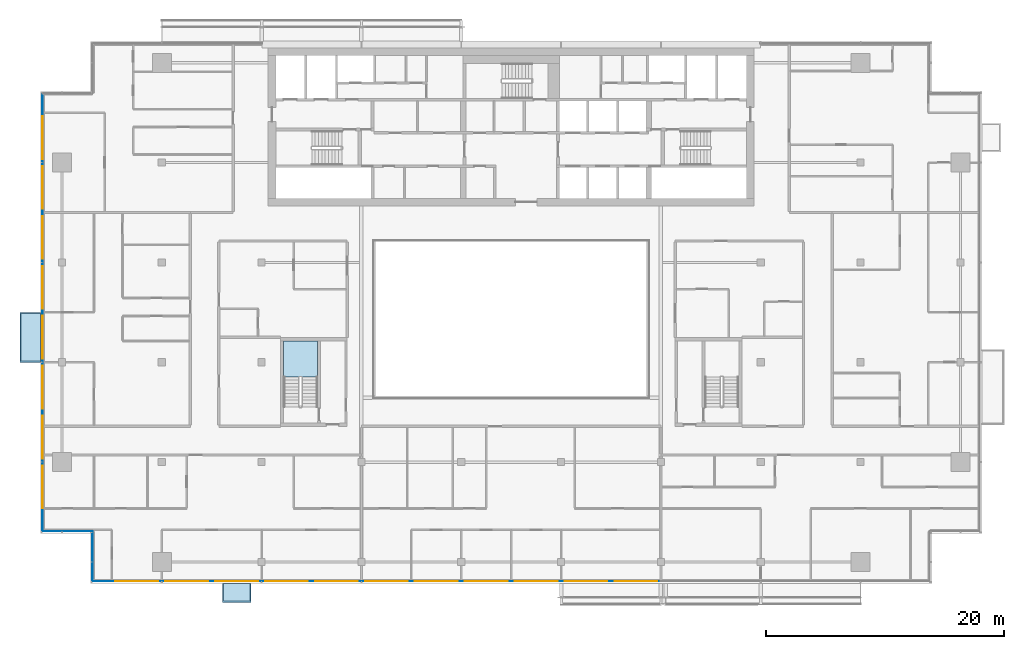
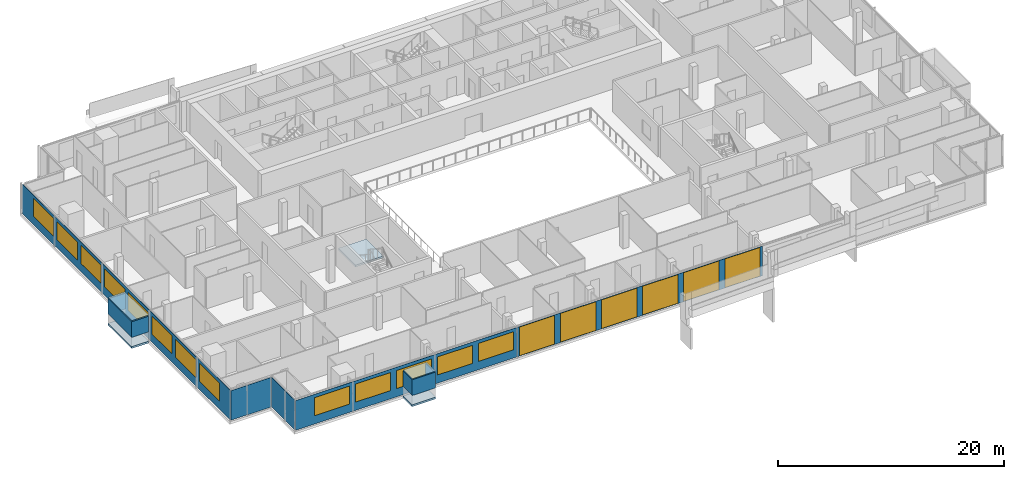
# One storey, part 14 of 27: 19 windows, 9 plates, 3 slabs, 19 openings, 5 elements without a shape of their own.
"""IFC4 building model written with IfcOpenShell, lengths in metres."""

from ifc_helpers import new_model, si_unit, direction, frame, frame_2d, origin, place, context, subcontext, project, spatial, polyline, rectangle, outline, extrude, material, layer, layer_set, type_object, element, fill, aggregate, save


model = new_model("IFC4")

# Units and contexts
model_context = context("Model", 3, precision=1e-05, world=origin(), true_north=direction((0.0, 1.0)))
body_context = subcontext(model_context, "Body", "Model", "MODEL_VIEW")
ifc_project = project(units=[si_unit("LENGTHUNIT", "METRE"), si_unit("AREAUNIT", "SQUARE_METRE"), si_unit("VOLUMEUNIT", "CUBIC_METRE"), si_unit("PLANEANGLEUNIT", "RADIAN"), si_unit("MASSUNIT", "GRAM", prefix="KILO")], contexts=[model_context])

# Site, building, storey
site_placement = place(None, origin())
site = spatial("IfcSite", under=ifc_project, at=site_placement, CompositionType="ELEMENT")
building_placement = place(site_placement, origin())
building = spatial("IfcBuilding", under=site, at=building_placement, Name="Saffron Gate Tower", CompositionType="ELEMENT")
storey_placement = place(building_placement, frame((0.0, 0.0, 234.300048828125)))
storey = spatial("IfcBuildingStorey", under=building, at=storey_placement, Name="L57", CompositionType="ELEMENT", Elevation=234.300048828125)

# Curtain wall, plates, openings, windows
ifc_material_1 = material(Name="Aluminium, bronze anodised", Category="aluminium")
curtain_wall_type_1 = type_object("IfcCurtainWallType", Name="CWS1 curtain wall front facade", PredefinedType="NOTDEFINED", material=ifc_material_1)
curtain_wall_1_placement = place(storey_placement, origin())
curtain_wall_1 = element("IfcCurtainWall", 1, at=curtain_wall_1_placement, inside=storey, type_object=curtain_wall_type_1, Name="CWS1 run 1", PredefinedType="NOTDEFINED")
ifc_material_2 = material(Name="Clear low-iron laminated glass", Category="glass")
ifc_layer_1 = layer(ifc_material_2, 0.028076171875)
ifc_layer_set_1 = layer_set([ifc_layer_1], Name="CWS1 clear glass")
plate_type_1 = type_object("IfcPlateType", Name="CWS1 clear glass", PredefinedType="CURTAIN_PANEL", material=ifc_layer_set_1)
plate_1_placement = place(storey_placement, frame((75.030029296875, 30.174072265625, 0.0), z_axis=(0.0, 0.0, 1.0), x_axis=(1.0, 0.0, 0.0)))
plate_1 = element("IfcPlate", 2, at=plate_1_placement, type_object=plate_type_1, Name="CWS1 clear glass panel", PredefinedType="CURTAIN_PANEL", context=body_context, shape_type="SweptSolid", body=[
    extrude(rectangle(XDim=25.139892578125, YDim=0.028076171875, at=frame_2d((12.56982421875, 0.0))), origin(), (0.0, 0.0, 1.0), 3.199951171875),
])
opening_1_placement = place(plate_1_placement, frame((0.27001953125, 0.0, 0.050048828125)))
opening_1 = element("IfcOpeningElement", 3, at=opening_1_placement, cuts=plate_1, Name="Opening WA", PredefinedType="OPENING", context=body_context, shape_type="SweptSolid", body=[
    extrude(rectangle(XDim=3.60009765625, YDim=3.10009765625, at=frame_2d((1.800048828125, 1.550048828125))), frame((0.0, 0.02392578125, 0.0), z_axis=(0.0, -1.0, 0.0), x_axis=(1.0, 0.0, 0.0)), (0.0, 0.0, 1.0), 0.048095703125),
])
opening_2_placement = place(plate_1_placement, frame((4.469970703125, 0.0, 0.050048828125)))
opening_2 = element("IfcOpeningElement", 4, at=opening_2_placement, cuts=plate_1, Name="Opening WA", PredefinedType="OPENING", context=body_context, shape_type="SweptSolid", body=[
    extrude(rectangle(XDim=3.60009765625, YDim=3.10009765625, at=frame_2d((1.800048828125, 1.550048828125))), frame((0.0, 0.02392578125, 0.0), z_axis=(0.0, -1.0, 0.0), x_axis=(1.0, 0.0, 0.0)), (0.0, 0.0, 1.0), 0.048095703125),
])
opening_3_placement = place(plate_1_placement, frame((8.669921875, 0.0, 0.050048828125)))
opening_3 = element("IfcOpeningElement", 5, at=opening_3_placement, cuts=plate_1, Name="Opening WA", PredefinedType="OPENING", context=body_context, shape_type="SweptSolid", body=[
    extrude(rectangle(XDim=3.60009765625, YDim=3.10009765625, at=frame_2d((1.800048828125, 1.550048828125))), frame((0.0, 0.02392578125, 0.0), z_axis=(0.0, -1.0, 0.0), x_axis=(1.0, 0.0, 0.0)), (0.0, 0.0, 1.0), 0.048095703125),
])
opening_4_placement = place(plate_1_placement, frame((12.8701171875, 0.0, 0.050048828125)))
opening_4 = element("IfcOpeningElement", 6, at=opening_4_placement, cuts=plate_1, Name="Opening WA", PredefinedType="OPENING", context=body_context, shape_type="SweptSolid", body=[
    extrude(rectangle(XDim=3.60009765625, YDim=3.10009765625, at=frame_2d((1.800048828125, 1.550048828125))), frame((0.0, 0.02392578125, 0.0), z_axis=(0.0, -1.0, 0.0), x_axis=(1.0, 0.0, 0.0)), (0.0, 0.0, 1.0), 0.048095703125),
])
opening_5_placement = place(plate_1_placement, frame((17.070068359375, 0.0, 0.050048828125)))
opening_5 = element("IfcOpeningElement", 7, at=opening_5_placement, cuts=plate_1, Name="Opening WA", PredefinedType="OPENING", context=body_context, shape_type="SweptSolid", body=[
    extrude(rectangle(XDim=3.60009765625, YDim=3.10009765625, at=frame_2d((1.800048828125, 1.550048828125))), frame((0.0, 0.02392578125, 0.0), z_axis=(0.0, -1.0, 0.0), x_axis=(1.0, 0.0, 0.0)), (0.0, 0.0, 1.0), 0.048095703125),
])
opening_6_placement = place(plate_1_placement, frame((21.27001953125, 0.0, 0.050048828125)))
opening_6 = element("IfcOpeningElement", 8, at=opening_6_placement, cuts=plate_1, Name="Opening WA", PredefinedType="OPENING", context=body_context, shape_type="SweptSolid", body=[
    extrude(rectangle(XDim=3.60009765625, YDim=3.10009765625, at=frame_2d((1.800048828125, 1.550048828125))), frame((0.0, 0.02392578125, 0.0), z_axis=(0.0, -1.0, 0.0), x_axis=(1.0, 0.0, 0.0)), (0.0, 0.0, 1.0), 0.048095703125),
])
ifc_material_3 = material(Name="Clear low-iron laminated glass in bronze frame", Category="glass")
ifc_layer_2 = layer(ifc_material_3, 0.06005859375)
ifc_layer_set_2 = layer_set([ifc_layer_2], Name="WA operable atrium unit 3600x3100")
window_type_1 = type_object("IfcWindowType", Name="WA operable atrium unit 3600x3100", PartitioningType="DOUBLE_PANEL_HORIZONTAL", PredefinedType="WINDOW", material=ifc_layer_set_2)
window_1_placement = place(opening_1_placement, origin())
window_1 = element("IfcWindow", 9, at=window_1_placement, type_object=window_type_1, Name="WA operable atrium unit", OverallHeight=3.10009765625, OverallWidth=3.60009765625, PartitioningType="SINGLE_PANEL", PredefinedType="WINDOW", context=body_context, shape_type="SweptSolid", body=[
    extrude(rectangle(XDim=3.60009765625, YDim=3.10009765625, at=frame_2d((1.800048828125, 1.550048828125))), frame((0.0, 0.013671875, 0.0), z_axis=(0.0, -1.0, 0.0), x_axis=(1.0, 0.0, 0.0)), (0.0, 0.0, 1.0), 0.027587890625),
])
fill(opening_1, window_1)
window_2_placement = place(opening_2_placement, origin())
window_2 = element("IfcWindow", 10, at=window_2_placement, type_object=window_type_1, Name="WA operable atrium unit", OverallHeight=3.10009765625, OverallWidth=3.60009765625, PartitioningType="SINGLE_PANEL", PredefinedType="WINDOW", context=body_context, shape_type="SweptSolid", body=[
    extrude(rectangle(XDim=3.60009765625, YDim=3.10009765625, at=frame_2d((1.800048828125, 1.550048828125))), frame((0.0, 0.013671875, 0.0), z_axis=(0.0, -1.0, 0.0), x_axis=(1.0, 0.0, 0.0)), (0.0, 0.0, 1.0), 0.027587890625),
])
fill(opening_2, window_2)
window_3_placement = place(opening_3_placement, origin())
window_3 = element("IfcWindow", 11, at=window_3_placement, type_object=window_type_1, Name="WA operable atrium unit", OverallHeight=3.10009765625, OverallWidth=3.60009765625, PartitioningType="SINGLE_PANEL", PredefinedType="WINDOW", context=body_context, shape_type="SweptSolid", body=[
    extrude(rectangle(XDim=3.60009765625, YDim=3.10009765625, at=frame_2d((1.800048828125, 1.550048828125))), frame((0.0, 0.013671875, 0.0), z_axis=(0.0, -1.0, 0.0), x_axis=(1.0, 0.0, 0.0)), (0.0, 0.0, 1.0), 0.027587890625),
])
fill(opening_3, window_3)
window_4_placement = place(opening_4_placement, origin())
window_4 = element("IfcWindow", 12, at=window_4_placement, type_object=window_type_1, Name="WA operable atrium unit", OverallHeight=3.10009765625, OverallWidth=3.60009765625, PartitioningType="SINGLE_PANEL", PredefinedType="WINDOW", context=body_context, shape_type="SweptSolid", body=[
    extrude(rectangle(XDim=3.60009765625, YDim=3.10009765625, at=frame_2d((1.800048828125, 1.550048828125))), frame((0.0, 0.013671875, 0.0), z_axis=(0.0, -1.0, 0.0), x_axis=(1.0, 0.0, 0.0)), (0.0, 0.0, 1.0), 0.027587890625),
])
fill(opening_4, window_4)
window_5_placement = place(opening_5_placement, origin())
window_5 = element("IfcWindow", 13, at=window_5_placement, type_object=window_type_1, Name="WA operable atrium unit", OverallHeight=3.10009765625, OverallWidth=3.60009765625, PartitioningType="SINGLE_PANEL", PredefinedType="WINDOW", context=body_context, shape_type="SweptSolid", body=[
    extrude(rectangle(XDim=3.60009765625, YDim=3.10009765625, at=frame_2d((1.800048828125, 1.550048828125))), frame((0.0, 0.013671875, 0.0), z_axis=(0.0, -1.0, 0.0), x_axis=(1.0, 0.0, 0.0)), (0.0, 0.0, 1.0), 0.027587890625),
])
fill(opening_5, window_5)
window_6_placement = place(opening_6_placement, origin())
window_6 = element("IfcWindow", 14, at=window_6_placement, type_object=window_type_1, Name="WA operable atrium unit", OverallHeight=3.10009765625, OverallWidth=3.60009765625, PartitioningType="SINGLE_PANEL", PredefinedType="WINDOW", context=body_context, shape_type="SweptSolid", body=[
    extrude(rectangle(XDim=3.60009765625, YDim=3.10009765625, at=frame_2d((1.800048828125, 1.550048828125))), frame((0.0, 0.013671875, 0.0), z_axis=(0.0, -1.0, 0.0), x_axis=(1.0, 0.0, 0.0)), (0.0, 0.0, 1.0), 0.027587890625),
])
fill(opening_6, window_6)
ifc_material_4 = material(Name="Fritted bronze-tinted laminated glass", Category="glass")
ifc_layer_3 = layer(ifc_material_4, 0.028076171875)
ifc_layer_set_3 = layer_set([ifc_layer_3], Name="CWS1 fixed glass")
plate_type_2 = type_object("IfcPlateType", Name="CWS1 fixed glass", PredefinedType="CURTAIN_PANEL", material=ifc_layer_set_3)
plate_2_placement = place(storey_placement, frame((52.387939453125, 30.174072265625, 0.0), z_axis=(0.0, 0.0, 1.0), x_axis=(1.0, 0.0, 0.0)))
plate_2 = element("IfcPlate", 15, at=plate_2_placement, type_object=plate_type_2, Name="CWS1 glass panel", PredefinedType="CURTAIN_PANEL", context=body_context, shape_type="SweptSolid", body=[
    extrude(rectangle(XDim=22.64208984375, YDim=0.028076171875, at=frame_2d((11.321044921875, 0.0))), origin(), (0.0, 0.0, 1.0), 3.199951171875),
])
opening_7_placement = place(plate_2_placement, frame((1.912109375, 0.0, 0.89990234375)))
opening_7 = element("IfcOpeningElement", 16, at=opening_7_placement, cuts=plate_2, Name="Opening W1", PredefinedType="OPENING", context=body_context, shape_type="SweptSolid", body=[
    extrude(rectangle(XDim=3.60009765625, YDim=1.949951171875, at=frame_2d((1.800048828125, 0.97509765625))), frame((0.0, 0.02392578125, 0.0), z_axis=(0.0, -1.0, 0.0), x_axis=(1.0, 0.0, 0.0)), (0.0, 0.0, 1.0), 0.048095703125),
])
opening_8_placement = place(plate_2_placement, frame((6.112060546875, 0.0, 0.89990234375)))
opening_8 = element("IfcOpeningElement", 17, at=opening_8_placement, cuts=plate_2, Name="Opening W1", PredefinedType="OPENING", context=body_context, shape_type="SweptSolid", body=[
    extrude(rectangle(XDim=3.60009765625, YDim=1.949951171875, at=frame_2d((1.800048828125, 0.97509765625))), frame((0.0, 0.02392578125, 0.0), z_axis=(0.0, -1.0, 0.0), x_axis=(1.0, 0.0, 0.0)), (0.0, 0.0, 1.0), 0.048095703125),
])
opening_9_placement = place(plate_2_placement, frame((10.31201171875, 0.0, 0.89990234375)))
opening_9 = element("IfcOpeningElement", 18, at=opening_9_placement, cuts=plate_2, Name="Opening W1", PredefinedType="OPENING", context=body_context, shape_type="SweptSolid", body=[
    extrude(rectangle(XDim=3.60009765625, YDim=1.949951171875, at=frame_2d((1.800048828125, 0.97509765625))), frame((0.0, 0.02392578125, 0.0), z_axis=(0.0, -1.0, 0.0), x_axis=(1.0, 0.0, 0.0)), (0.0, 0.0, 1.0), 0.048095703125),
])
opening_10_placement = place(plate_2_placement, frame((14.511962890625, 0.0, 0.89990234375)))
opening_10 = element("IfcOpeningElement", 19, at=opening_10_placement, cuts=plate_2, Name="Opening W1", PredefinedType="OPENING", context=body_context, shape_type="SweptSolid", body=[
    extrude(rectangle(XDim=3.60009765625, YDim=1.949951171875, at=frame_2d((1.800048828125, 0.97509765625))), frame((0.0, 0.02392578125, 0.0), z_axis=(0.0, -1.0, 0.0), x_axis=(1.0, 0.0, 0.0)), (0.0, 0.0, 1.0), 0.048095703125),
])
opening_11_placement = place(plate_2_placement, frame((18.7119140625, 0.0, 0.89990234375)))
opening_11 = element("IfcOpeningElement", 20, at=opening_11_placement, cuts=plate_2, Name="Opening W1", PredefinedType="OPENING", context=body_context, shape_type="SweptSolid", body=[
    extrude(rectangle(XDim=3.60009765625, YDim=1.949951171875, at=frame_2d((1.800048828125, 0.97509765625))), frame((0.0, 0.02392578125, 0.0), z_axis=(0.0, -1.0, 0.0), x_axis=(1.0, 0.0, 0.0)), (0.0, 0.0, 1.0), 0.048095703125),
])
ifc_material_5 = material(Name="Fritted bronze-tinted laminated glass in bronze frame", Category="glass")
ifc_layer_4 = layer(ifc_material_5, 0.06005859375)
ifc_layer_set_4 = layer_set([ifc_layer_4], Name="W1 operable panel 3600x1950")
window_type_2 = type_object("IfcWindowType", Name="W1 operable panel 3600x1950", PartitioningType="DOUBLE_PANEL_HORIZONTAL", PredefinedType="WINDOW", material=ifc_layer_set_4)
window_7_placement = place(opening_7_placement, origin())
window_7 = element("IfcWindow", 21, at=window_7_placement, type_object=window_type_2, Name="W1 operable panel", OverallHeight=1.949951171875, OverallWidth=3.60009765625, PartitioningType="SINGLE_PANEL", PredefinedType="WINDOW", context=body_context, shape_type="SweptSolid", body=[
    extrude(rectangle(XDim=3.60009765625, YDim=1.949951171875, at=frame_2d((1.800048828125, 0.97509765625))), frame((0.0, 0.013671875, 0.0), z_axis=(0.0, -1.0, 0.0), x_axis=(1.0, 0.0, 0.0)), (0.0, 0.0, 1.0), 0.027587890625),
])
fill(opening_7, window_7)
window_8_placement = place(opening_8_placement, origin())
window_8 = element("IfcWindow", 22, at=window_8_placement, type_object=window_type_2, Name="W1 operable panel", OverallHeight=1.949951171875, OverallWidth=3.60009765625, PartitioningType="SINGLE_PANEL", PredefinedType="WINDOW", context=body_context, shape_type="SweptSolid", body=[
    extrude(rectangle(XDim=3.60009765625, YDim=1.949951171875, at=frame_2d((1.800048828125, 0.97509765625))), frame((0.0, 0.013671875, 0.0), z_axis=(0.0, -1.0, 0.0), x_axis=(1.0, 0.0, 0.0)), (0.0, 0.0, 1.0), 0.027587890625),
])
fill(opening_8, window_8)
window_9_placement = place(opening_9_placement, origin())
window_9 = element("IfcWindow", 23, at=window_9_placement, type_object=window_type_2, Name="W1 operable panel", OverallHeight=1.949951171875, OverallWidth=3.60009765625, PartitioningType="SINGLE_PANEL", PredefinedType="WINDOW", context=body_context, shape_type="SweptSolid", body=[
    extrude(rectangle(XDim=3.60009765625, YDim=1.949951171875, at=frame_2d((1.800048828125, 0.97509765625))), frame((0.0, 0.013671875, 0.0), z_axis=(0.0, -1.0, 0.0), x_axis=(1.0, 0.0, 0.0)), (0.0, 0.0, 1.0), 0.027587890625),
])
fill(opening_9, window_9)
window_10_placement = place(opening_10_placement, origin())
window_10 = element("IfcWindow", 24, at=window_10_placement, type_object=window_type_2, Name="W1 operable panel", OverallHeight=1.949951171875, OverallWidth=3.60009765625, PartitioningType="SINGLE_PANEL", PredefinedType="WINDOW", context=body_context, shape_type="SweptSolid", body=[
    extrude(rectangle(XDim=3.60009765625, YDim=1.949951171875, at=frame_2d((1.800048828125, 0.97509765625))), frame((0.0, 0.013671875, 0.0), z_axis=(0.0, -1.0, 0.0), x_axis=(1.0, 0.0, 0.0)), (0.0, 0.0, 1.0), 0.027587890625),
])
fill(opening_10, window_10)
window_11_placement = place(opening_11_placement, origin())
window_11 = element("IfcWindow", 25, at=window_11_placement, type_object=window_type_2, Name="W1 operable panel", OverallHeight=1.949951171875, OverallWidth=3.60009765625, PartitioningType="SINGLE_PANEL", PredefinedType="WINDOW", context=body_context, shape_type="SweptSolid", body=[
    extrude(rectangle(XDim=3.60009765625, YDim=1.949951171875, at=frame_2d((1.800048828125, 0.97509765625))), frame((0.0, 0.013671875, 0.0), z_axis=(0.0, -1.0, 0.0), x_axis=(1.0, 0.0, 0.0)), (0.0, 0.0, 1.0), 0.027587890625),
])
fill(opening_11, window_11)
aggregate(curtain_wall_1, [plate_2, plate_1, window_7, window_8, window_9, window_10, window_11, window_1, window_2, window_3, window_4, window_5, window_6])

# Curtain wall, plate, openings, windows
curtain_wall_type_2 = type_object("IfcCurtainWallType", Name="CWS2 curtain wall side facades", PredefinedType="NOTDEFINED", material=ifc_material_1)
curtain_wall_2_placement = place(storey_placement, origin())
curtain_wall_2 = element("IfcCurtainWall", 26, at=curtain_wall_2_placement, inside=storey, type_object=curtain_wall_type_2, Name="CWS2 run 10", PredefinedType="NOTDEFINED")
ifc_layer_5 = layer(ifc_material_4, 0.028076171875)
ifc_layer_set_5 = layer_set([ifc_layer_5], Name="CWS2 fixed glass")
plate_type_3 = type_object("IfcPlateType", Name="CWS2 fixed glass", PredefinedType="CURTAIN_PANEL", material=ifc_layer_set_5)
plate_3_placement = place(storey_placement, frame((48.174072265625, 71.2119140625, 0.0), z_axis=(0.0, 0.0, 1.0), x_axis=(0.0, -1.0, 0.0)))
plate_3 = element("IfcPlate", 27, at=plate_3_placement, type_object=plate_type_3, Name="CWS2 glass panel", PredefinedType="CURTAIN_PANEL", context=body_context, shape_type="SweptSolid", body=[
    extrude(rectangle(XDim=36.823974609375, YDim=0.028076171875, at=frame_2d((18.412109375, 0.0))), origin(), (0.0, 0.0, 1.0), 3.199951171875),
])
opening_12_placement = place(plate_3_placement, frame((1.912109375, 0.0, 0.89990234375)))
opening_12 = element("IfcOpeningElement", 28, at=opening_12_placement, cuts=plate_3, Name="Opening W1", PredefinedType="OPENING", context=body_context, shape_type="SweptSolid", body=[
    extrude(rectangle(XDim=3.60009765625, YDim=1.949951171875, at=frame_2d((1.800048828125, 0.97509765625))), frame((0.0, 0.02392578125, 0.0), z_axis=(0.0, -1.0, 0.0), x_axis=(1.0, 0.0, 0.0)), (0.0, 0.0, 1.0), 0.048095703125),
])
opening_13_placement = place(plate_3_placement, frame((6.112060546875, 0.0, 0.89990234375)))
opening_13 = element("IfcOpeningElement", 29, at=opening_13_placement, cuts=plate_3, Name="Opening W1", PredefinedType="OPENING", context=body_context, shape_type="SweptSolid", body=[
    extrude(rectangle(XDim=3.60009765625, YDim=1.949951171875, at=frame_2d((1.800048828125, 0.97509765625))), frame((0.0, 0.02392578125, 0.0), z_axis=(0.0, -1.0, 0.0), x_axis=(1.0, 0.0, 0.0)), (0.0, 0.0, 1.0), 0.048095703125),
])
opening_14_placement = place(plate_3_placement, frame((10.31201171875, 0.0, 0.89990234375)))
opening_14 = element("IfcOpeningElement", 30, at=opening_14_placement, cuts=plate_3, Name="Opening W1", PredefinedType="OPENING", context=body_context, shape_type="SweptSolid", body=[
    extrude(rectangle(XDim=3.60009765625, YDim=1.949951171875, at=frame_2d((1.800048828125, 0.97509765625))), frame((0.0, 0.02392578125, 0.0), z_axis=(0.0, -1.0, 0.0), x_axis=(1.0, 0.0, 0.0)), (0.0, 0.0, 1.0), 0.048095703125),
])
opening_15_placement = place(plate_3_placement, frame((14.511962890625, 0.0, 0.89990234375)))
opening_15 = element("IfcOpeningElement", 31, at=opening_15_placement, cuts=plate_3, Name="Opening W1", PredefinedType="OPENING", context=body_context, shape_type="SweptSolid", body=[
    extrude(rectangle(XDim=3.60009765625, YDim=1.949951171875, at=frame_2d((1.800048828125, 0.97509765625))), frame((0.0, 0.02392578125, 0.0), z_axis=(0.0, -1.0, 0.0), x_axis=(1.0, 0.0, 0.0)), (0.0, 0.0, 1.0), 0.048095703125),
])
opening_16_placement = place(plate_3_placement, frame((18.7119140625, 0.0, 0.89990234375)))
opening_16 = element("IfcOpeningElement", 32, at=opening_16_placement, cuts=plate_3, Name="Opening W1", PredefinedType="OPENING", context=body_context, shape_type="SweptSolid", body=[
    extrude(rectangle(XDim=3.60009765625, YDim=1.949951171875, at=frame_2d((1.800048828125, 0.97509765625))), frame((0.0, 0.02392578125, 0.0), z_axis=(0.0, -1.0, 0.0), x_axis=(1.0, 0.0, 0.0)), (0.0, 0.0, 1.0), 0.048095703125),
])
opening_17_placement = place(plate_3_placement, frame((22.912109375, 0.0, 0.89990234375)))
opening_17 = element("IfcOpeningElement", 33, at=opening_17_placement, cuts=plate_3, Name="Opening W1", PredefinedType="OPENING", context=body_context, shape_type="SweptSolid", body=[
    extrude(rectangle(XDim=3.60009765625, YDim=1.949951171875, at=frame_2d((1.800048828125, 0.97509765625))), frame((0.0, 0.02392578125, 0.0), z_axis=(0.0, -1.0, 0.0), x_axis=(1.0, 0.0, 0.0)), (0.0, 0.0, 1.0), 0.048095703125),
])
opening_18_placement = place(plate_3_placement, frame((27.112060546875, 0.0, 0.89990234375)))
opening_18 = element("IfcOpeningElement", 34, at=opening_18_placement, cuts=plate_3, Name="Opening W1", PredefinedType="OPENING", context=body_context, shape_type="SweptSolid", body=[
    extrude(rectangle(XDim=3.60009765625, YDim=1.949951171875, at=frame_2d((1.800048828125, 0.97509765625))), frame((0.0, 0.02392578125, 0.0), z_axis=(0.0, -1.0, 0.0), x_axis=(1.0, 0.0, 0.0)), (0.0, 0.0, 1.0), 0.048095703125),
])
opening_19_placement = place(plate_3_placement, frame((31.31201171875, 0.0, 0.89990234375)))
opening_19 = element("IfcOpeningElement", 35, at=opening_19_placement, cuts=plate_3, Name="Opening W1", PredefinedType="OPENING", context=body_context, shape_type="SweptSolid", body=[
    extrude(rectangle(XDim=3.60009765625, YDim=1.949951171875, at=frame_2d((1.800048828125, 0.97509765625))), frame((0.0, 0.02392578125, 0.0), z_axis=(0.0, -1.0, 0.0), x_axis=(1.0, 0.0, 0.0)), (0.0, 0.0, 1.0), 0.048095703125),
])
window_12_placement = place(opening_12_placement, origin())
window_12 = element("IfcWindow", 36, at=window_12_placement, type_object=window_type_2, Name="W1 operable panel", OverallHeight=1.949951171875, OverallWidth=3.60009765625, PartitioningType="SINGLE_PANEL", PredefinedType="WINDOW", context=body_context, shape_type="SweptSolid", body=[
    extrude(rectangle(XDim=3.60009765625, YDim=1.949951171875, at=frame_2d((1.800048828125, 0.97509765625))), frame((0.0, 0.013671875, 0.0), z_axis=(0.0, -1.0, 0.0), x_axis=(1.0, 0.0, 0.0)), (0.0, 0.0, 1.0), 0.027587890625),
])
fill(opening_12, window_12)
window_13_placement = place(opening_13_placement, origin())
window_13 = element("IfcWindow", 37, at=window_13_placement, type_object=window_type_2, Name="W1 operable panel", OverallHeight=1.949951171875, OverallWidth=3.60009765625, PartitioningType="SINGLE_PANEL", PredefinedType="WINDOW", context=body_context, shape_type="SweptSolid", body=[
    extrude(rectangle(XDim=3.60009765625, YDim=1.949951171875, at=frame_2d((1.800048828125, 0.97509765625))), frame((0.0, 0.013671875, 0.0), z_axis=(0.0, -1.0, 0.0), x_axis=(1.0, 0.0, 0.0)), (0.0, 0.0, 1.0), 0.027587890625),
])
fill(opening_13, window_13)
window_14_placement = place(opening_14_placement, origin())
window_14 = element("IfcWindow", 38, at=window_14_placement, type_object=window_type_2, Name="W1 operable panel", OverallHeight=1.949951171875, OverallWidth=3.60009765625, PartitioningType="SINGLE_PANEL", PredefinedType="WINDOW", context=body_context, shape_type="SweptSolid", body=[
    extrude(rectangle(XDim=3.60009765625, YDim=1.949951171875, at=frame_2d((1.800048828125, 0.97509765625))), frame((0.0, 0.013671875, 0.0), z_axis=(0.0, -1.0, 0.0), x_axis=(1.0, 0.0, 0.0)), (0.0, 0.0, 1.0), 0.027587890625),
])
fill(opening_14, window_14)
window_15_placement = place(opening_15_placement, origin())
window_15 = element("IfcWindow", 39, at=window_15_placement, type_object=window_type_2, Name="W1 operable panel", OverallHeight=1.949951171875, OverallWidth=3.60009765625, PartitioningType="SINGLE_PANEL", PredefinedType="WINDOW", context=body_context, shape_type="SweptSolid", body=[
    extrude(rectangle(XDim=3.60009765625, YDim=1.949951171875, at=frame_2d((1.800048828125, 0.97509765625))), frame((0.0, 0.013671875, 0.0), z_axis=(0.0, -1.0, 0.0), x_axis=(1.0, 0.0, 0.0)), (0.0, 0.0, 1.0), 0.027587890625),
])
fill(opening_15, window_15)
window_16_placement = place(opening_16_placement, origin())
window_16 = element("IfcWindow", 40, at=window_16_placement, type_object=window_type_2, Name="W1 operable panel", OverallHeight=1.949951171875, OverallWidth=3.60009765625, PartitioningType="SINGLE_PANEL", PredefinedType="WINDOW", context=body_context, shape_type="SweptSolid", body=[
    extrude(rectangle(XDim=3.60009765625, YDim=1.949951171875, at=frame_2d((1.800048828125, 0.97509765625))), frame((0.0, 0.013671875, 0.0), z_axis=(0.0, -1.0, 0.0), x_axis=(1.0, 0.0, 0.0)), (0.0, 0.0, 1.0), 0.027587890625),
])
fill(opening_16, window_16)
window_17_placement = place(opening_17_placement, origin())
window_17 = element("IfcWindow", 41, at=window_17_placement, type_object=window_type_2, Name="W1 operable panel", OverallHeight=1.949951171875, OverallWidth=3.60009765625, PartitioningType="SINGLE_PANEL", PredefinedType="WINDOW", context=body_context, shape_type="SweptSolid", body=[
    extrude(rectangle(XDim=3.60009765625, YDim=1.949951171875, at=frame_2d((1.800048828125, 0.97509765625))), frame((0.0, 0.013671875, 0.0), z_axis=(0.0, -1.0, 0.0), x_axis=(1.0, 0.0, 0.0)), (0.0, 0.0, 1.0), 0.027587890625),
])
fill(opening_17, window_17)
window_18_placement = place(opening_18_placement, origin())
window_18 = element("IfcWindow", 42, at=window_18_placement, type_object=window_type_2, Name="W1 operable panel", OverallHeight=1.949951171875, OverallWidth=3.60009765625, PartitioningType="SINGLE_PANEL", PredefinedType="WINDOW", context=body_context, shape_type="SweptSolid", body=[
    extrude(rectangle(XDim=3.60009765625, YDim=1.949951171875, at=frame_2d((1.800048828125, 0.97509765625))), frame((0.0, 0.013671875, 0.0), z_axis=(0.0, -1.0, 0.0), x_axis=(1.0, 0.0, 0.0)), (0.0, 0.0, 1.0), 0.027587890625),
])
fill(opening_18, window_18)
window_19_placement = place(opening_19_placement, origin())
window_19 = element("IfcWindow", 43, at=window_19_placement, type_object=window_type_2, Name="W1 operable panel", OverallHeight=1.949951171875, OverallWidth=3.60009765625, PartitioningType="SINGLE_PANEL", PredefinedType="WINDOW", context=body_context, shape_type="SweptSolid", body=[
    extrude(rectangle(XDim=3.60009765625, YDim=1.949951171875, at=frame_2d((1.800048828125, 0.97509765625))), frame((0.0, 0.013671875, 0.0), z_axis=(0.0, -1.0, 0.0), x_axis=(1.0, 0.0, 0.0)), (0.0, 0.0, 1.0), 0.027587890625),
])
fill(opening_19, window_19)
aggregate(curtain_wall_2, [plate_3, window_12, window_13, window_14, window_15, window_16, window_17, window_18, window_19])

# Curtain wall, plate
curtain_wall_type_3 = type_object("IfcCurtainWallType", Name="CWS4 curtain wall corner returns", PredefinedType="NOTDEFINED", material=ifc_material_1)
curtain_wall_3_placement = place(storey_placement, origin())
curtain_wall_3 = element("IfcCurtainWall", 44, at=curtain_wall_3_placement, inside=storey, type_object=curtain_wall_type_3, Name="CWS4 run 11", PredefinedType="NOTDEFINED")
ifc_layer_6 = layer(ifc_material_4, 0.028076171875)
ifc_layer_set_6 = layer_set([ifc_layer_6], Name="CWS4 fixed glass")
plate_type_4 = type_object("IfcPlateType", Name="CWS4 fixed glass", PredefinedType="CURTAIN_PANEL", material=ifc_layer_set_6)
plate_4_placement = place(storey_placement, frame((48.18798828125, 34.3740234375, 0.0), z_axis=(0.0, 0.0, 1.0), x_axis=(1.0, 0.0, 0.0)))
plate_4 = element("IfcPlate", 45, at=plate_4_placement, type_object=plate_type_4, Name="CWS4 glass panel", PredefinedType="CURTAIN_PANEL", context=body_context, shape_type="SweptSolid", body=[
    extrude(rectangle(XDim=4.172119140625, YDim=0.028076171875, at=frame_2d((2.0859375, 0.0))), origin(), (0.0, 0.0, 1.0), 3.199951171875),
])
aggregate(curtain_wall_3, [plate_4])

curtain_wall_4_placement = place(storey_placement, origin())
curtain_wall_4 = element("IfcCurtainWall", 46, at=curtain_wall_4_placement, inside=storey, type_object=curtain_wall_type_3, Name="CWS4 run 12", PredefinedType="NOTDEFINED")
plate_5_placement = place(storey_placement, frame((52.3740234375, 34.360107421875, 0.0), z_axis=(0.0, 0.0, 1.0), x_axis=(0.0, -1.0, 0.0)))
plate_5 = element("IfcPlate", 47, at=plate_5_placement, type_object=plate_type_4, Name="CWS4 glass panel", PredefinedType="CURTAIN_PANEL", context=body_context, shape_type="SweptSolid", body=[
    extrude(rectangle(XDim=4.172119140625, YDim=0.028076171875, at=frame_2d((2.0859375, 0.0))), origin(), (0.0, 0.0, 1.0), 3.199951171875),
])
aggregate(curtain_wall_4, [plate_5])

# Stair, slab
ifc_material_6 = material(Name="Concrete C40", Category="concrete")
stair_type = type_object("IfcStairType", Name="ST7 Stair 1350 wide, 20 risers of 180", PredefinedType="HALF_TURN_STAIR", material=ifc_material_6)
stair_placement = place(storey_placement, origin())
stair = element("IfcStair", 48, at=stair_placement, inside=storey, type_object=stair_type, Name="L57 Exit stair D", PredefinedType="HALF_TURN_STAIR")
ifc_layer_7 = layer(ifc_material_6, 0.199951171875)
ifc_layer_set_7 = layer_set([ifc_layer_7], Name="SL1 Stair landing 200")
slab_type_1 = type_object("IfcSlabType", Name="SL1 Stair landing 200", PredefinedType="LANDING", material=ifc_layer_set_7)
slab_1_placement = place(storey_placement, frame((0.0, 0.0, 1.599853515625)))
slab_1 = element("IfcSlab", 49, at=slab_1_placement, type_object=slab_type_1, Name="ST-D landing 1", PredefinedType="LANDING", context=body_context, shape_type="SweptSolid", body=[
    extrude(outline(polyline([(71.300048828125, 47.3701171875), (71.300048828125, 50.39990234375), (68.449951171875, 50.39990234375), (68.449951171875, 47.3701171875), (71.300048828125, 47.3701171875)])), origin(), (0.0, 0.0, 1.0), 0.2001953125),
])
aggregate(stair, [slab_1])

# Slabs
ifc_material_7 = material(Name="Timber deck on bronze frame", Category="wood")
ifc_layer_8 = layer(ifc_material_7, 0.199951171875)
ifc_layer_set_8 = layer_set([ifc_layer_8], Name="WB1 box floor")
slab_type_2 = type_object("IfcSlabType", Name="WB1 box floor", PredefinedType="FLOOR", material=ifc_layer_set_8)
slab_2_placement = place(storey_placement, frame((0.0, 0.0, -0.199951171875)))
element("IfcSlab", 50, at=slab_2_placement, inside=storey, type_object=slab_type_2, Name="WINDOW BOX floor", PredefinedType="FLOOR", context=body_context, shape_type="SweptSolid", body=[
    extrude(outline(polyline([(63.300048828125, 30.0), (65.699951171875, 30.0), (65.699951171875, 28.39990234375), (63.300048828125, 28.39990234375), (63.300048828125, 30.0)])), origin(), (0.0, 0.0, 1.0), 0.199951171875),
])
slab_3_placement = place(storey_placement, frame((0.0, 0.0, -0.199951171875)))
element("IfcSlab", 51, at=slab_3_placement, inside=storey, type_object=slab_type_2, Name="WINDOW BOX floor", PredefinedType="FLOOR", context=body_context, shape_type="SweptSolid", body=[
    extrude(outline(polyline([(48.0, 52.800048828125), (48.0, 48.60009765625), (46.26708984375, 48.60009765625), (46.26708984375, 52.800048828125), (48.0, 52.800048828125)])), origin(), (0.0, 0.0, 1.0), 0.199951171875),
])

# Plates
ifc_layer_9 = layer(ifc_material_1, 0.1201171875)
ifc_layer_set_9 = layer_set([ifc_layer_9], Name="WB2 box roof")
plate_type_5 = type_object("IfcPlateType", Name="WB2 box roof", PredefinedType="SHEET", material=ifc_layer_set_9)
plate_6_placement = place(storey_placement, frame((0.0, 0.0, 2.699951171875)))
element("IfcPlate", 52, at=plate_6_placement, inside=storey, type_object=plate_type_5, Name="WINDOW BOX roof", PredefinedType="SHEET", context=body_context, shape_type="SweptSolid", body=[
    extrude(outline(polyline([(63.300048828125, 30.0), (65.699951171875, 30.0), (65.699951171875, 28.39990234375), (63.300048828125, 28.39990234375), (63.300048828125, 30.0)])), origin(), (0.0, 0.0, 1.0), 0.1201171875),
])
plate_7_placement = place(storey_placement, frame((0.0, 0.0, 2.699951171875)))
element("IfcPlate", 53, at=plate_7_placement, inside=storey, type_object=plate_type_5, Name="WINDOW BOX roof", PredefinedType="SHEET", context=body_context, shape_type="SweptSolid", body=[
    extrude(outline(polyline([(48.0, 52.800048828125), (48.0, 48.60009765625), (46.26708984375, 48.60009765625), (46.26708984375, 52.800048828125), (48.0, 52.800048828125)])), origin(), (0.0, 0.0, 1.0), 0.1201171875),
])
ifc_layer_10 = layer(ifc_material_2, 0.10009765625)
ifc_layer_set_10 = layer_set([ifc_layer_10], Name="WB6 box glazing")
plate_type_6 = type_object("IfcPlateType", Name="WB6 box glazing", PredefinedType="SHEET", material=ifc_layer_set_10)
plate_8_placement = place(storey_placement, frame((0.0, 0.0, 1.0)))
element("IfcPlate", 54, at=plate_8_placement, inside=storey, type_object=plate_type_6, Name="WINDOW BOX glazing", PredefinedType="SHEET", context=body_context, shape_type="SweptSolid", body=[
    extrude(outline(polyline([(63.300048828125, 30.0), (63.39990234375, 30.0), (63.39990234375, 28.5), (65.60009765625, 28.5), (65.60009765625, 30.0), (65.699951171875, 30.0), (65.699951171875, 28.39990234375), (63.300048828125, 28.39990234375), (63.300048828125, 30.0)])), origin(), (0.0, 0.0, 1.0), 1.699951171875),
])
plate_9_placement = place(storey_placement, frame((0.0, 0.0, 1.0)))
element("IfcPlate", 55, at=plate_9_placement, inside=storey, type_object=plate_type_6, Name="WINDOW BOX glazing", PredefinedType="SHEET", context=body_context, shape_type="SweptSolid", body=[
    extrude(outline(polyline([(48.0, 52.800048828125), (48.0, 52.699951171875), (46.366943359375, 52.699951171875), (46.366943359375, 48.699951171875), (48.0, 48.699951171875), (48.0, 48.60009765625), (46.26708984375, 48.60009765625), (46.26708984375, 52.800048828125), (48.0, 52.800048828125)])), origin(), (0.0, 0.0, 1.0), 1.699951171875),
])

save(model, "model.ifc")
